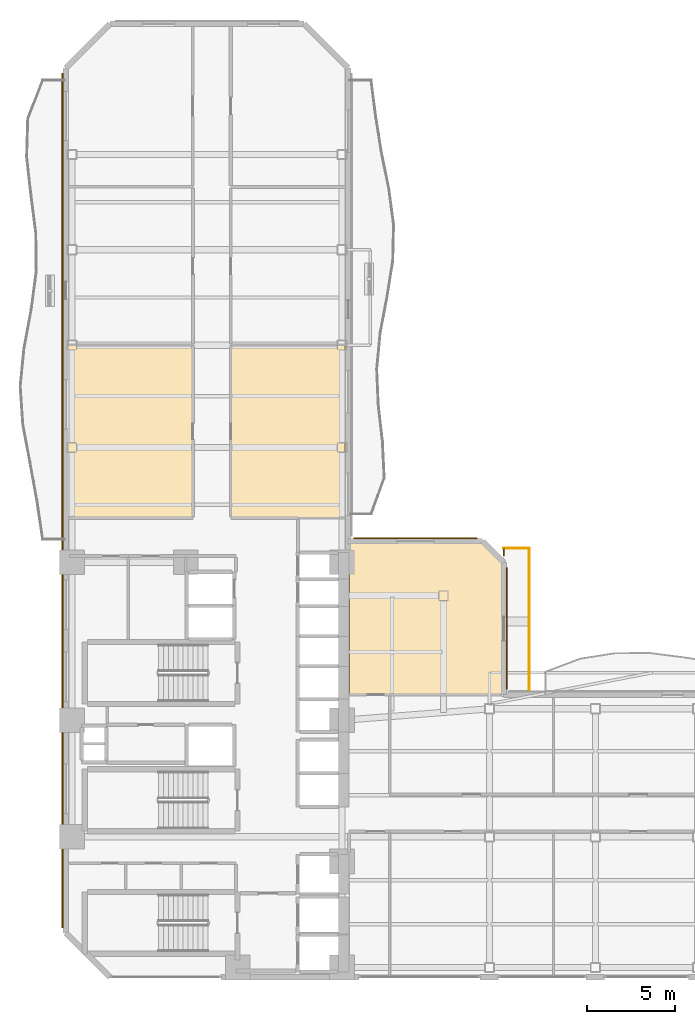
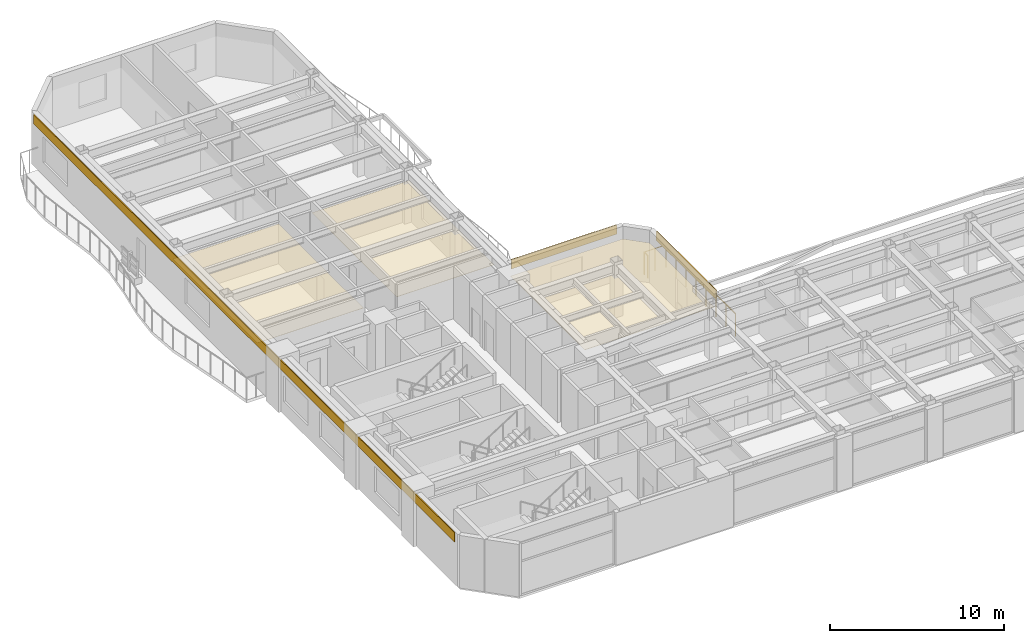
# One storey, part 15 of 17: 6 coverings, 3 railings.
"""IFC4 building model written with IfcOpenShell, lengths in metres."""

from ifc_helpers import new_model, si_unit, direction, frame, origin, origin_2d, place, context, subcontext, project, spatial, polyline, rectangle, outline, extrude, material, layer, layer_set, type_object, element, save


model = new_model("IFC4")

# Units and contexts
model_context = context("Model", 3, precision=1e-05, world=origin(), true_north=direction((0.0, 1.0)))
body_context = subcontext(model_context, "Body", "Model", "MODEL_VIEW")
ifc_project = project(units=[si_unit("LENGTHUNIT", "METRE"), si_unit("AREAUNIT", "SQUARE_METRE"), si_unit("VOLUMEUNIT", "CUBIC_METRE"), si_unit("PLANEANGLEUNIT", "RADIAN"), si_unit("MASSUNIT", "GRAM", prefix="KILO")], contexts=[model_context])

# Site, building, storey
site_placement = place(None, origin())
site = spatial("IfcSite", under=ifc_project, at=site_placement, CompositionType="ELEMENT")
building_placement = place(site_placement, origin())
building = spatial("IfcBuilding", under=site, at=building_placement, Name="Mawjaban Terraces University", CompositionType="ELEMENT")
storey_placement = place(building_placement, frame((0.0, 0.0, 85.60009765625)))
storey = spatial("IfcBuildingStorey", under=building, at=storey_placement, Name="L20", CompositionType="ELEMENT", Elevation=85.60009765625)

# Coverings
ifc_material_1 = material(Name="Acoustic mineral fibre ceiling tile", Category="masonry")
ifc_layer_1 = layer(ifc_material_1, 0.02001953125)
ifc_layer_set_1 = layer_set([ifc_layer_1], Name="Acoustic mineral fibre ceiling tile")
covering_type_1 = type_object("IfcCoveringType", Name="AcousticMineralCeiling_20", PredefinedType="CEILING", material=ifc_layer_set_1)
covering_1_placement = place(storey_placement, frame((0.0, 0.0, 2.75)))
element("IfcCovering", 1, at=covering_1_placement, inside=storey, type_object=covering_type_1, Name="L20 Student Tea Pantry 10 Acoustic Ceiling", PredefinedType="CEILING", context=body_context, shape_type="SweptSolid", body=[
    extrude(outline(polyline([(22.114990234375, 35.77001953125), (22.114990234375, 26.030029296875), (29.169921875, 26.030029296875), (29.169921875, 35.77001953125), (22.114990234375, 35.77001953125)])), origin(), (0.0, 0.0, 1.0), 0.02001953125),
])
covering_2_placement = place(storey_placement, frame((0.0, 0.0, 2.75)))
element("IfcCovering", 2, at=covering_2_placement, inside=storey, type_object=covering_type_1, Name="L20 Student Tea Pantry 11 Acoustic Ceiling", PredefinedType="CEILING", context=body_context, shape_type="SweptSolid", body=[
    extrude(outline(polyline([(37.820068359375, 26.030029296875), (37.820068359375, 35.77001953125), (31.3798828125, 35.77001953125), (31.3798828125, 26.030029296875), (37.820068359375, 26.030029296875)])), origin(), (0.0, 0.0, 1.0), 0.02001953125),
])
covering_3_placement = place(storey_placement, frame((0.0, 0.0, 2.75)))
element("IfcCovering", 3, at=covering_3_placement, inside=storey, type_object=covering_type_1, Name="L20 Terrace Collaborative Study Room Acoustic Ceiling", PredefinedType="CEILING", context=body_context, shape_type="SweptSolid", body=[
    extrude(outline(polyline([(46.68505859375, 16.030029296875), (46.68505859375, 23.43798828125), (45.552978515625, 24.570068359375), (38.080078125, 24.570068359375), (38.080078125, 16.030029296875), (46.68505859375, 16.030029296875)])), origin(), (0.0, 0.0, 1.0), 0.02001953125),
])

# Railings
ifc_material_2 = material(Name="Galvanised powder-coated steel S355", Category="steel")
railing_type = type_object("IfcRailingType", Name="BalconyBalustrade_1600", PredefinedType="BALUSTRADE", material=ifc_material_2)
railing_1_placement = place(storey_placement, frame((48.25, 16.280029296875, 0.0)))
element("IfcRailing", 4, at=railing_1_placement, inside=storey, type_object=railing_type, Name="L20 Terrace Guardrail TER-L20-CLIMB.1", PredefinedType="BALUSTRADE", context=body_context, shape_type="SweptSolid", body=[
    extrude(rectangle(XDim=0.048095703125, YDim=0.048095703125, at=origin_2d()), frame((0.0, 0.0, 1.576171875), z_axis=(0.0, 1.0, 0.0), x_axis=(-1.0, 0.0, 0.0)), (0.0, 0.0, 1.0), 8.0048828125),
    extrude(rectangle(XDim=0.0419921875, YDim=0.0419921875, at=origin_2d()), origin(), (0.0, 0.0, 1.0), 1.552001953125),
    extrude(rectangle(XDim=0.0419921875, YDim=0.0419921875, at=origin_2d()), frame((0.0, 1.1435546875, 0.0)), (0.0, 0.0, 1.0), 1.552001953125),
    extrude(rectangle(XDim=0.0419921875, YDim=0.0419921875, at=origin_2d()), frame((0.0, 2.287109375, 0.0)), (0.0, 0.0, 1.0), 1.552001953125),
    extrude(rectangle(XDim=0.0419921875, YDim=0.0419921875, at=origin_2d()), frame((0.0, 3.4306640625, 0.0)), (0.0, 0.0, 1.0), 1.552001953125),
    extrude(rectangle(XDim=0.0419921875, YDim=0.0419921875, at=origin_2d()), frame((0.0, 4.57421875, 0.0)), (0.0, 0.0, 1.0), 1.552001953125),
    extrude(rectangle(XDim=0.0419921875, YDim=0.0419921875, at=origin_2d()), frame((0.0, 5.7177734375, 0.0)), (0.0, 0.0, 1.0), 1.552001953125),
    extrude(rectangle(XDim=0.0419921875, YDim=0.0419921875, at=origin_2d()), frame((0.0, 6.861328125, 0.0)), (0.0, 0.0, 1.0), 1.552001953125),
    extrude(rectangle(XDim=0.0419921875, YDim=0.0419921875, at=origin_2d()), frame((0.0, 8.0048828125, 0.0)), (0.0, 0.0, 1.0), 1.552001953125),
])
railing_2_placement = place(storey_placement, frame((48.25, 24.284912109375, 0.0)))
element("IfcRailing", 5, at=railing_2_placement, inside=storey, type_object=railing_type, Name="L20 Terrace Guardrail TER-L20-CLIMB.2", PredefinedType="BALUSTRADE", context=body_context, shape_type="SweptSolid", body=[
    extrude(rectangle(XDim=0.048095703125, YDim=0.048095703125, at=origin_2d()), frame((0.0, 0.0, 1.576171875), z_axis=(-1.0, 0.0, 0.0), x_axis=(0.0, -1.0, 0.0)), (0.0, 0.0, 1.0), 1.449951171875),
    extrude(rectangle(XDim=0.0419921875, YDim=0.0419921875, at=origin_2d()), origin(), (0.0, 0.0, 1.0), 1.552001953125),
    extrude(rectangle(XDim=0.0419921875, YDim=0.0419921875, at=origin_2d()), frame((-0.72509765625, 0.0, 0.0)), (0.0, 0.0, 1.0), 1.552001953125),
    extrude(rectangle(XDim=0.0419921875, YDim=0.0419921875, at=origin_2d()), frame((-1.449951171875, 0.0, 0.0)), (0.0, 0.0, 1.0), 1.552001953125),
])
railing_3_placement = place(storey_placement, frame((46.800048828125, 24.284912109375, 0.0)))
element("IfcRailing", 6, at=railing_3_placement, inside=storey, type_object=railing_type, Name="L20 Terrace Guardrail TER-L20-CLIMB.3", PredefinedType="BALUSTRADE", context=body_context, shape_type="SweptSolid", body=[
    extrude(rectangle(XDim=0.048095703125, YDim=0.048095703125, at=origin_2d()), frame((0.0, 0.0, 1.576171875), z_axis=(0.0, -1.0, 0.0), x_axis=(1.0, 0.0, 0.0)), (0.0, 0.0, 1.0), 0.40380859375),
    extrude(rectangle(XDim=0.0419921875, YDim=0.0419921875, at=origin_2d()), origin(), (0.0, 0.0, 1.0), 1.552001953125),
    extrude(rectangle(XDim=0.0419921875, YDim=0.0419921875, at=origin_2d()), frame((0.0, -0.40380859375, 0.0)), (0.0, 0.0, 1.0), 1.552001953125),
])

# Coverings
ifc_material_3 = material(Name="Glazed architectural terracotta rainscreen", Category="masonry")
ifc_layer_2 = layer(ifc_material_3, 0.06005859375)
ifc_layer_set_2 = layer_set([ifc_layer_2], Name="Glazed architectural terracotta rainscreen")
covering_type_2 = type_object("IfcCoveringType", Name="TerracottaSpandrelCladding_60", PredefinedType="CLADDING", material=ifc_layer_set_2)
covering_4_placement = place(storey_placement, frame((46.985107421875, 19.741943359375, 3.014892578125), z_axis=(0.0, 0.0, 1.0), x_axis=(0.0, 1.0, 0.0)))
element("IfcCovering", 7, at=covering_4_placement, inside=storey, type_object=covering_type_2, Name="L20 Terracotta Spandrel Cladding 6", PredefinedType="CLADDING", context=body_context, shape_type="SweptSolid", body=[
    extrude(rectangle(XDim=6.885009765625, YDim=0.06005859375, at=origin_2d()), origin(), (0.0, 0.0, 1.0), 0.64990234375),
])
covering_5_placement = place(storey_placement, frame((41.800048828125, 24.8701171875, 3.014892578125), z_axis=(0.0, 0.0, 1.0), x_axis=(-1.0, 0.0, 0.0)))
element("IfcCovering", 8, at=covering_5_placement, inside=storey, type_object=covering_type_2, Name="L20 Terracotta Spandrel Cladding 8", PredefinedType="CLADDING", context=body_context, shape_type="SweptSolid", body=[
    extrude(rectangle(XDim=7.0, YDim=0.06005859375, at=origin_2d()), origin(), (0.0, 0.0, 1.0), 0.64990234375),
])
covering_6_placement = place(storey_placement, frame((21.81494140625, 27.0, 3.014892578125), z_axis=(0.0, 0.0, 1.0), x_axis=(0.0, -1.0, 0.0)))
element("IfcCovering", 9, at=covering_6_placement, inside=storey, type_object=covering_type_2, Name="L20 Terracotta Spandrel Cladding 13", PredefinedType="CLADDING", context=body_context, shape_type="SweptSolid", body=[
    extrude(rectangle(XDim=48.39990234375, YDim=0.06005859375, at=origin_2d()), origin(), (0.0, 0.0, 1.0), 0.64990234375),
])

save(model, "model.ifc")
